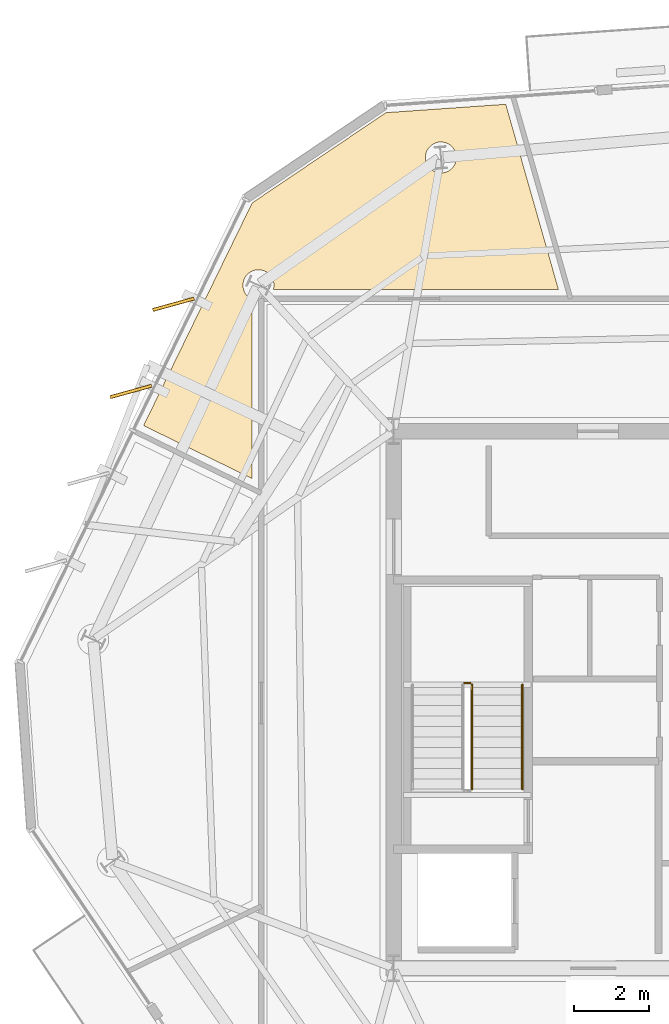
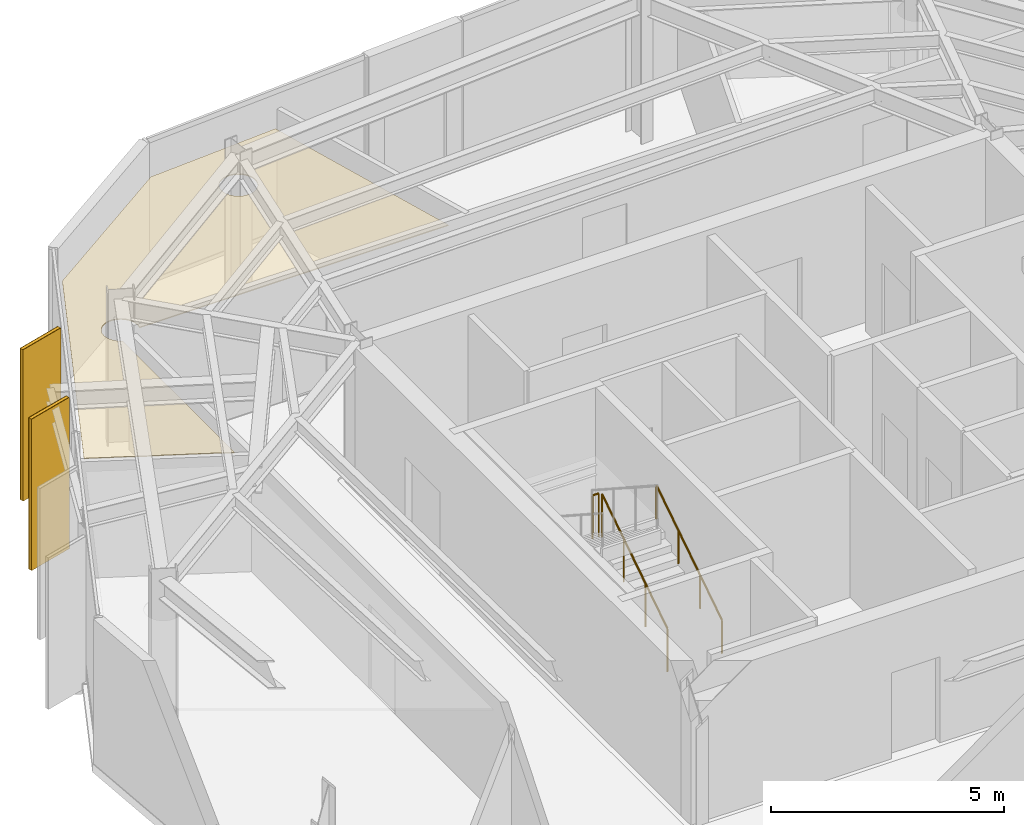
# One storey, part 11 of 13: 3 coverings, 3 railings, 2 shading devices.
"""IFC4 building model written with IfcOpenShell, lengths in metres."""

import ifcopenshell
import ifcopenshell.guid

model = None  # the IFC model being written
_history = None  # IfcOwnerHistory: only IFC2X3 demands one
_inside = {}  # id of a spatial element -> (the spatial element, [elements in it])
_under = {}  # id of a project, library or spatial element -> (it, [spatial elements below it])
_declared = {}  # id of a project -> (the project, [libraries it declares])
_typed = {}  # id of a type object -> (the type object, [elements of that type])
_made_of = {}  # id of a material, layer set ... -> (it, [elements and type objects made of it])


def new_model(schema):
    """Start an empty IFC model of exactly this schema.

    Asked for "IFC4X3", IfcOpenShell would pick the latest addendum, in which some entities
    have other attributes; the version numbers below select the first issue.
    IFC2X3 requires an IfcOwnerHistory on every rooted entity: one is made here for all.
    """
    global model, _history
    if schema == "IFC4X3":
        model = ifcopenshell.file(schema_version=(4, 3, 0, 0))
    else:
        model = ifcopenshell.file(schema=schema)
    _inside.clear()
    _under.clear()
    _declared.clear()
    _typed.clear()
    _made_of.clear()
    _history = None
    if model.schema == "IFC2X3":
        org = make("IfcOrganization", Name="unknown")
        user = make(
            "IfcPersonAndOrganization",
            ThePerson=make("IfcPerson", FamilyName="unknown"),
            TheOrganization=org,
        )
        app = make(
            "IfcApplication",
            ApplicationDeveloper=org,
            Version="unknown",
            ApplicationFullName="unknown",
            ApplicationIdentifier="unknown",
        )
        _history = make(
            "IfcOwnerHistory",
            OwningUser=user,
            OwningApplication=app,
            ChangeAction="ADDED",
            CreationDate=0,
        )
    return model


def make(cls, **values):
    """One entity of the class cls with the attributes given. An attribute that is None is left unset."""
    return model.create_entity(
        cls, **{name: value for name, value in values.items() if value is not None}
    )


def rooted(cls, **values):
    """An entity with a GlobalId (a new one), such as an element, a storey or a relation."""
    return make(cls, GlobalId=ifcopenshell.guid.new(), OwnerHistory=_history, **values)


def si_unit(unit_type, name, prefix=None):
    """IfcSIUnit, for example si_unit("LENGTHUNIT", "METRE", prefix="MILLI")."""
    return make("IfcSIUnit", UnitType=unit_type, Prefix=prefix, Name=name)


def assignment(units):
    """IfcUnitAssignment: the units of a project."""
    return None if units is None else make("IfcUnitAssignment", Units=units)


def point(xyz):
    """IfcCartesianPoint."""
    return None if xyz is None else make("IfcCartesianPoint", Coordinates=xyz)


def direction(xyz):
    """IfcDirection."""
    return None if xyz is None else make("IfcDirection", DirectionRatios=xyz)


def frame(location, z_axis=None, x_axis=None):
    """IfcAxis2Placement3D, a coordinate frame: its origin and axes. An axis left out is left unset."""
    return make(
        "IfcAxis2Placement3D",
        Location=point(location),
        Axis=direction(z_axis),
        RefDirection=direction(x_axis),
    )


def frame_2d(location, x_axis=None):
    """IfcAxis2Placement2D, a coordinate frame in the plane: its origin and x axis."""
    return make(
        "IfcAxis2Placement2D", Location=point(location), RefDirection=direction(x_axis)
    )


def origin():
    """The frame at (0, 0, 0) with its axes left unset."""
    return frame((0.0, 0.0, 0.0))


def origin_2d():
    """The frame at (0, 0) in the plane with its x axis left unset."""
    return frame_2d((0.0, 0.0))


def place(relative_to, where):
    """IfcLocalPlacement: puts the frame where relative to a parent placement (None: the world)."""
    return make(
        "IfcLocalPlacement", PlacementRelTo=relative_to, RelativePlacement=where
    )


def context(
    kind, dimensions, precision=None, world=None, true_north=None, identifier=None
):
    """IfcGeometricRepresentationContext, for example the 3D "Model" context."""
    return make(
        "IfcGeometricRepresentationContext",
        ContextIdentifier=identifier,
        ContextType=kind,
        CoordinateSpaceDimension=dimensions,
        Precision=precision,
        WorldCoordinateSystem=world,
        TrueNorth=true_north,
    )


def subcontext(parent, identifier, kind, view, scale=None):
    """IfcGeometricRepresentationSubContext, for example "Body" below "Model"."""
    return make(
        "IfcGeometricRepresentationSubContext",
        ContextIdentifier=identifier,
        ContextType=kind,
        ParentContext=parent,
        TargetScale=scale,
        TargetView=view,
    )


def project(units=None, contexts=None):
    """IfcProject with its units and contexts."""
    return rooted(
        "IfcProject",
        Name="project",
        RepresentationContexts=contexts,
        UnitsInContext=assignment(units),
    )


def spatial(cls, under=None, at=None, **own):
    """A site, building, storey or space (cls), placed at a placement, below another one or the project."""
    s = rooted(cls, ObjectPlacement=at, **own)
    if under is not None:
        _under.setdefault(under.id(), (under, []))[1].append(s)
    return s


def polyline(points):
    """IfcPolyline through the points."""
    return make("IfcPolyline", Points=[point(p) for p in points])


def profile(cls, at=None, kind="AREA", **sizes):
    """A parametric profile (cls). Its sizes go by their IFC names, for example OverallWidth=200.0."""
    return make(cls, ProfileType=kind, Position=at, **sizes)


def rectangle(**sizes):
    """IfcRectangleProfileDef."""
    return profile("IfcRectangleProfileDef", **sizes)


def circle(**sizes):
    """IfcCircleProfileDef."""
    return profile("IfcCircleProfileDef", **sizes)


def outline(outer, holes=None, kind="AREA"):
    """IfcArbitraryClosedProfileDef: a profile drawn as a closed curve; with holes, ...WithVoids."""
    if holes is None:
        return make("IfcArbitraryClosedProfileDef", ProfileType=kind, OuterCurve=outer)
    return make(
        "IfcArbitraryProfileDefWithVoids",
        ProfileType=kind,
        OuterCurve=outer,
        InnerCurves=holes,
    )


def extrude(swept, where, along, depth):
    """IfcExtrudedAreaSolid: the profile swept, set in the frame where, extruded along a direction by depth."""
    return make(
        "IfcExtrudedAreaSolid",
        SweptArea=swept,
        Position=where,
        ExtrudedDirection=direction(along),
        Depth=depth,
    )


def shape(context_of_items, identifier, shape_type, items):
    """IfcShapeRepresentation: the items that make up one representation, for example the "Body"."""
    return make(
        "IfcShapeRepresentation",
        ContextOfItems=context_of_items,
        RepresentationIdentifier=identifier,
        RepresentationType=shape_type,
        Items=items,
    )


def material(Name=None, Category=None):
    """IfcMaterial."""
    return make("IfcMaterial", Name=Name, Category=Category)


def layer(
    of_material, thickness, ventilated=None, Name=None, Category=None, Priority=None
):
    """IfcMaterialLayer: one layer of a wall or slab, of a material (None: an air gap)."""
    return make(
        "IfcMaterialLayer",
        Material=of_material,
        LayerThickness=thickness,
        IsVentilated=ventilated,
        Name=Name,
        Category=Category,
        Priority=Priority,
    )


def layer_set(layers, Name=None):
    """IfcMaterialLayerSet."""
    return make("IfcMaterialLayerSet", MaterialLayers=layers, LayerSetName=Name)


def made_of(thing, what):
    """Note that an element or type object is made of a material, layer set ...; save() writes the relation."""
    if what is not None:
        _made_of.setdefault(what.id(), (what, []))[1].append(thing)
    return thing


def type_object(cls, material=None, **own):
    """A type object (cls), such as IfcWallType, which elements share."""
    return made_of(rooted(cls, **own), material)


def element(
    cls,
    number,
    at=None,
    inside=None,
    cuts=None,
    type_object=None,
    material=None,
    context=None,
    identifier="Body",
    shape_type=None,
    held_by="IfcProductDefinitionShape",
    body=None,
    shapes=None,
    **own,
):
    """One element of the class cls, such as IfcWall. Its Tag is "e" and its number.

    at: its placement. inside: the storey or other place that contains it. cuts: it is an
    opening in that element (IfcRelVoidsElement). A single representation is given by context,
    identifier, shape_type and body (its items); several are given by shapes. held_by: the class
    of the entity that holds the representations. save() writes the other relations.
    """
    e = rooted(cls, Tag="e%d" % number, ObjectPlacement=at, **own)
    if body is not None:
        shapes = [shape(context, identifier, shape_type, body)]
    if shapes is not None:
        e.Representation = make(held_by, Representations=shapes)
    if inside is not None:
        _inside.setdefault(inside.id(), (inside, []))[1].append(e)
    if cuts is not None:
        rooted(
            "IfcRelVoidsElement", RelatingBuildingElement=cuts, RelatedOpeningElement=e
        )
    if type_object is not None:
        _typed.setdefault(type_object.id(), (type_object, []))[1].append(e)
    return made_of(e, material)


def aggregate(whole, parts):
    """IfcRelAggregates: a whole, such as a stair, and the parts it consists of."""
    return rooted("IfcRelAggregates", RelatingObject=whole, RelatedObjects=parts)


def save(model, path):
    """Write the relations noted so far, then the file.

    IfcRelAggregates (storeys below a building ...), IfcRelContainedInSpatialStructure (elements
    in a storey), IfcRelDefinesByType, IfcRelAssociatesMaterial and IfcRelDeclares: one each for
    every whole, place, type object, material and project.
    """
    for whole, parts in _under.values():
        aggregate(whole, parts)
    for where, things in _inside.values():
        rooted(
            "IfcRelContainedInSpatialStructure",
            RelatedElements=things,
            RelatingStructure=where,
        )
    for kind, things in _typed.values():
        rooted("IfcRelDefinesByType", RelatedObjects=things, RelatingType=kind)
    for what, things in _made_of.values():
        rooted("IfcRelAssociatesMaterial", RelatedObjects=things, RelatingMaterial=what)
    for by, libraries in _declared.values():
        rooted("IfcRelDeclares", RelatingContext=by, RelatedDefinitions=libraries)
    model.write(path)


model = new_model("IFC4")

# Units and contexts
model_context = context("Model", 3, precision=1e-05, world=origin(), true_north=direction((0.0, 1.0)))
body_context = subcontext(model_context, "Body", "Model", "MODEL_VIEW")
ifc_project = project(units=[si_unit("LENGTHUNIT", "METRE"), si_unit("AREAUNIT", "SQUARE_METRE"), si_unit("VOLUMEUNIT", "CUBIC_METRE"), si_unit("PLANEANGLEUNIT", "RADIAN"), si_unit("MASSUNIT", "GRAM", prefix="KILO")], contexts=[model_context])

# Site, building, storey
site_placement = place(None, origin())
site = spatial("IfcSite", under=ifc_project, at=site_placement, CompositionType="ELEMENT")
building_placement = place(site_placement, origin())
building = spatial("IfcBuilding", under=site, at=building_placement, Name="Kranzbogen Civic Tower", CompositionType="ELEMENT")
storey_placement = place(building_placement, frame((0.0, 0.0, 282.199951171875)))
storey = spatial("IfcBuildingStorey", under=building, at=storey_placement, Name="L68", CompositionType="ELEMENT", Elevation=282.199951171875)

# Coverings
ifc_material_1 = material(Name="Pale Anodised Aluminium", Category="aluminium")
ifc_layer_1 = layer(ifc_material_1, 0.02490234375, Name="Pale Anodised Aluminium")
ifc_layer_set_1 = layer_set([ifc_layer_1], Name="Pale Anodised Aluminium")
covering_type_1 = type_object("IfcCoveringType", Name="Anodised Aluminium Vertical Fin Cladding 25 mm", PredefinedType="CLADDING", material=ifc_layer_set_1)
for number, where, z_axis, x_axis, name in (
    (1, (11.294921875, 35.60009765625, -0.139892578125), (0.0, 0.0, 1.0), (-0.963979441748, -0.265976758172, 0.0), "L68 vertical fin pale-metal cladding F2-1"),
    (2, (10.155029296875, 33.262939453125, -0.139892578125), (0.0, 0.0, 1.0), (-0.963979441748, -0.265976758172, 0.0), "L68 vertical fin pale-metal cladding F2-2"),
):
    element("IfcCovering", number, at=place(storey_placement, frame(where, z_axis=z_axis, x_axis=x_axis)), inside=storey, type_object=covering_type_1, Name=name, PredefinedType="CLADDING", context=body_context, shape_type="SweptSolid", body=[
        extrude(rectangle(XDim=1.14990234375, YDim=0.094970703125, at=origin_2d()), origin(), (0.0, 0.0, 1.0), 3.9599609375),
    ])

# Railings
ifc_material_2 = material(Name="Steel S355", Category="steel")
railing_type_1 = type_object("IfcRailingType", Name="Internal Stair and Void Steel Guardrail 1150", PredefinedType="GUARDRAIL", material=ifc_material_2)
railing_1_placement = place(storey_placement, frame((19.300048828125, 22.60009765625, 0.181884765625)))
element("IfcRailing", 3, at=railing_1_placement, inside=storey, type_object=railing_type_1, Name="L68 ST-T1 stair guard 1", PredefinedType="GUARDRAIL", context=body_context, shape_type="SweptSolid", body=[
    extrude(circle(Radius=0.02392578125, at=origin_2d()), frame((0.0, 0.0, 1.1259765625), z_axis=(0.0, 0.83868413941, 0.544618136222), x_axis=(-1.0, 0.0, 0.0)), (0.0, 0.0, 1.0), 3.33837890625),
    extrude(circle(Radius=0.02099609375, at=origin_2d()), origin(), (0.0, 0.0, 1.0), 1.101806640625),
    extrude(circle(Radius=0.02099609375, at=origin_2d()), frame((0.0, 0.933349609375, 0.60595703125)), (0.0, 0.0, 1.0), 1.101806640625),
    extrude(circle(Radius=0.02099609375, at=origin_2d()), frame((0.0, 1.866455078125, 1.212158203125)), (0.0, 0.0, 1.0), 1.101806640625),
    extrude(circle(Radius=0.02099609375, at=origin_2d()), frame((0.0, 2.7998046875, 1.818115234375)), (0.0, 0.0, 1.0), 1.101806640625),
])
railing_2_placement = place(storey_placement, frame((19.25, 25.449951171875, 2.0)))
element("IfcRailing", 4, at=railing_2_placement, inside=storey, type_object=railing_type_1, Name="L68 ST-T1 stair guard 2", PredefinedType="GUARDRAIL", context=body_context, shape_type="SweptSolid", body=[
    extrude(circle(Radius=0.02392578125, at=origin_2d()), frame((0.0, 0.0, 1.1259765625), z_axis=(-1.0, 0.0, 0.0), x_axis=(0.0, -1.0, 0.0)), (0.0, 0.0, 1.0), 0.14990234375),
    extrude(circle(Radius=0.02099609375, at=origin_2d()), origin(), (0.0, 0.0, 1.0), 1.101806640625),
    extrude(circle(Radius=0.02099609375, at=origin_2d()), frame((-0.14990234375, 0.0, 0.0)), (0.0, 0.0, 1.0), 1.101806640625),
])

# Shading devices
shading_device_type = type_object("IfcShadingDeviceType", Name="Pale Anodised Aluminium Crown Fin 1150x75", PredefinedType="USERDEFINED", material=ifc_material_1)
for number, where, z_axis, x_axis, name in (
    (5, (11.294921875, 35.60009765625, -0.139892578125), (0.0, 0.0, 1.0), (-0.963979441748, -0.265976758172, 0.0), "L68 vertical exterior shading fin F2-1"),
    (6, (10.155029296875, 33.262939453125, -0.139892578125), (0.0, 0.0, 1.0), (-0.963979441748, -0.265976758172, 0.0), "L68 vertical exterior shading fin F2-2"),
):
    element("IfcShadingDevice", number, at=place(storey_placement, frame(where, z_axis=z_axis, x_axis=x_axis)), inside=storey, type_object=shading_device_type, Name=name, ObjectType="FIN", PredefinedType="USERDEFINED", context=body_context, shape_type="SweptSolid", body=[
        extrude(rectangle(XDim=1.14990234375, YDim=0.074951171875, at=origin_2d()), origin(), (0.0, 0.0, 1.0), 3.9599609375),
    ])

# Covering
ifc_material_3 = material(Name="Perforated Acoustic Gypsum Ceiling")
ifc_layer_2 = layer(ifc_material_3, 0.02490234375, Name="Perforated Acoustic Gypsum Ceiling")
ifc_layer_set_2 = layer_set([ifc_layer_2], Name="Perforated Acoustic Gypsum Ceiling")
covering_type_2 = type_object("IfcCoveringType", Name="Perforated Acoustic Mineral Ceiling Tile 25 mm", PredefinedType="CEILING", material=ifc_layer_set_2)
covering_placement = place(storey_placement, frame((0.0, 0.0, 2.900146484375)))
element("IfcCovering", 7, at=covering_placement, inside=storey, type_object=covering_type_2, Name="L68 Executive Briefing Conference Room acoustic ceiling", PredefinedType="CEILING", context=body_context, shape_type="SweptSolid", body=[
    extrude(outline(polyline([(16.993896484375, 40.738037109375), (20.205078125, 40.962890625), (21.617919921875, 35.9951171875), (13.97412109375, 35.9951171875), (13.98193359375, 36.029052734375), (13.988037109375, 36.069091796875), (13.989990234375, 36.110107421875), (13.988037109375, 36.15087890625), (13.98193359375, 36.19091796875), (13.972900390625, 36.23095703125), (13.958984375, 36.26904296875), (13.94091796875, 36.305908203125), (13.919921875, 36.341064453125), (13.89599609375, 36.3740234375), (13.868896484375, 36.404052734375), (13.839111328125, 36.430908203125), (13.805908203125, 36.455078125), (13.77099609375, 36.47607421875), (13.73388671875, 36.493896484375), (13.696044921875, 36.508056640625), (13.656005859375, 36.51708984375), (13.615966796875, 36.52294921875), (13.574951171875, 36.52490234375), (13.533935546875, 36.52294921875), (13.493896484375, 36.51708984375), (13.4541015625, 36.508056640625), (13.416015625, 36.493896484375), (13.37890625, 36.47607421875), (13.343994140625, 36.455078125), (13.31103515625, 36.430908203125), (13.281005859375, 36.404052734375), (13.25390625, 36.3740234375), (13.22998046875, 36.341064453125), (13.208984375, 36.305908203125), (13.19091796875, 36.26904296875), (13.177001953125, 36.23095703125), (13.16796875, 36.19091796875), (13.162109375, 36.15087890625), (13.159912109375, 36.110107421875), (13.162109375, 36.069091796875), (13.16796875, 36.029052734375), (13.177001953125, 35.989013671875), (13.19091796875, 35.950927734375), (13.208984375, 35.9140625), (13.22998046875, 35.87890625), (13.25390625, 35.845947265625), (13.281005859375, 35.81591796875), (13.31103515625, 35.7890625), (13.343994140625, 35.764892578125), (13.37890625, 35.743896484375), (13.405029296875, 35.73095703125), (13.405029296875, 30.927978515625), (10.4951171875, 32.346923828125), (13.406982421875, 38.319091796875), (16.993896484375, 40.738037109375)]), holes=[polyline([(18.85107421875, 39.376953125), (18.8330078125, 39.340087890625), (18.81201171875, 39.304931640625), (18.7880859375, 39.27197265625), (18.760986328125, 39.241943359375), (18.73095703125, 39.215087890625), (18.697998046875, 39.19091796875), (18.6630859375, 39.169921875), (18.6259765625, 39.152099609375), (18.587890625, 39.137939453125), (18.548095703125, 39.12890625), (18.508056640625, 39.123046875), (18.467041015625, 39.12109375), (18.426025390625, 39.123046875), (18.385986328125, 39.12890625), (18.345947265625, 39.137939453125), (18.30810546875, 39.152099609375), (18.27099609375, 39.169921875), (18.236083984375, 39.19091796875), (18.202880859375, 39.215087890625), (18.173095703125, 39.241943359375), (18.14599609375, 39.27197265625), (18.1220703125, 39.304931640625), (18.10107421875, 39.340087890625), (18.0830078125, 39.376953125), (18.069091796875, 39.4150390625), (18.06005859375, 39.455078125), (18.053955078125, 39.4951171875), (18.052001953125, 39.535888671875), (18.053955078125, 39.576904296875), (18.06005859375, 39.616943359375), (18.069091796875, 39.656982421875), (18.0830078125, 39.695068359375), (18.10107421875, 39.73193359375), (18.1220703125, 39.76708984375), (18.14599609375, 39.800048828125), (18.173095703125, 39.830078125), (18.202880859375, 39.85693359375), (18.236083984375, 39.881103515625), (18.27099609375, 39.902099609375), (18.30810546875, 39.919921875), (18.345947265625, 39.93408203125), (18.385986328125, 39.943115234375), (18.426025390625, 39.948974609375), (18.467041015625, 39.950927734375), (18.508056640625, 39.948974609375), (18.548095703125, 39.943115234375), (18.587890625, 39.93408203125), (18.6259765625, 39.919921875), (18.6630859375, 39.902099609375), (18.697998046875, 39.881103515625), (18.73095703125, 39.85693359375), (18.760986328125, 39.830078125), (18.7880859375, 39.800048828125), (18.81201171875, 39.76708984375), (18.8330078125, 39.73193359375), (18.85107421875, 39.695068359375), (18.864990234375, 39.656982421875), (18.8740234375, 39.616943359375), (18.8798828125, 39.576904296875), (18.882080078125, 39.535888671875), (18.8798828125, 39.4951171875), (18.8740234375, 39.455078125), (18.864990234375, 39.4150390625), (18.85107421875, 39.376953125)])]), origin(), (0.0, 0.0, 1.0), 0.02490234375),
])

# Railing
railing_type_2 = type_object("IfcRailingType", Name="Tubular Stainless Stair Wall Handrail 900", PredefinedType="HANDRAIL", material=ifc_material_1)
railing_3_placement = place(storey_placement, frame((20.64990234375, 22.60009765625, 0.181884765625)))
element("IfcRailing", 8, at=railing_3_placement, inside=storey, type_object=railing_type_2, Name="L68 ST-T1 stair handrail 1", PredefinedType="HANDRAIL", context=body_context, shape_type="SweptSolid", body=[
    extrude(circle(Radius=0.02392578125, at=origin_2d()), frame((0.0, 0.0, 0.8759765625), z_axis=(0.0, 0.83868413941, 0.544618136222), x_axis=(-1.0, 0.0, 0.0)), (0.0, 0.0, 1.0), 3.33837890625),
    extrude(circle(Radius=0.02099609375, at=origin_2d()), origin(), (0.0, 0.0, 1.0), 0.851806640625),
    extrude(circle(Radius=0.02099609375, at=origin_2d()), frame((0.0, 0.933349609375, 0.60595703125)), (0.0, 0.0, 1.0), 0.851806640625),
    extrude(circle(Radius=0.02099609375, at=origin_2d()), frame((0.0, 1.866455078125, 1.212158203125)), (0.0, 0.0, 1.0), 0.851806640625),
    extrude(circle(Radius=0.02099609375, at=origin_2d()), frame((0.0, 2.7998046875, 1.818115234375)), (0.0, 0.0, 1.0), 0.851806640625),
])

save(model, "model.ifc")
